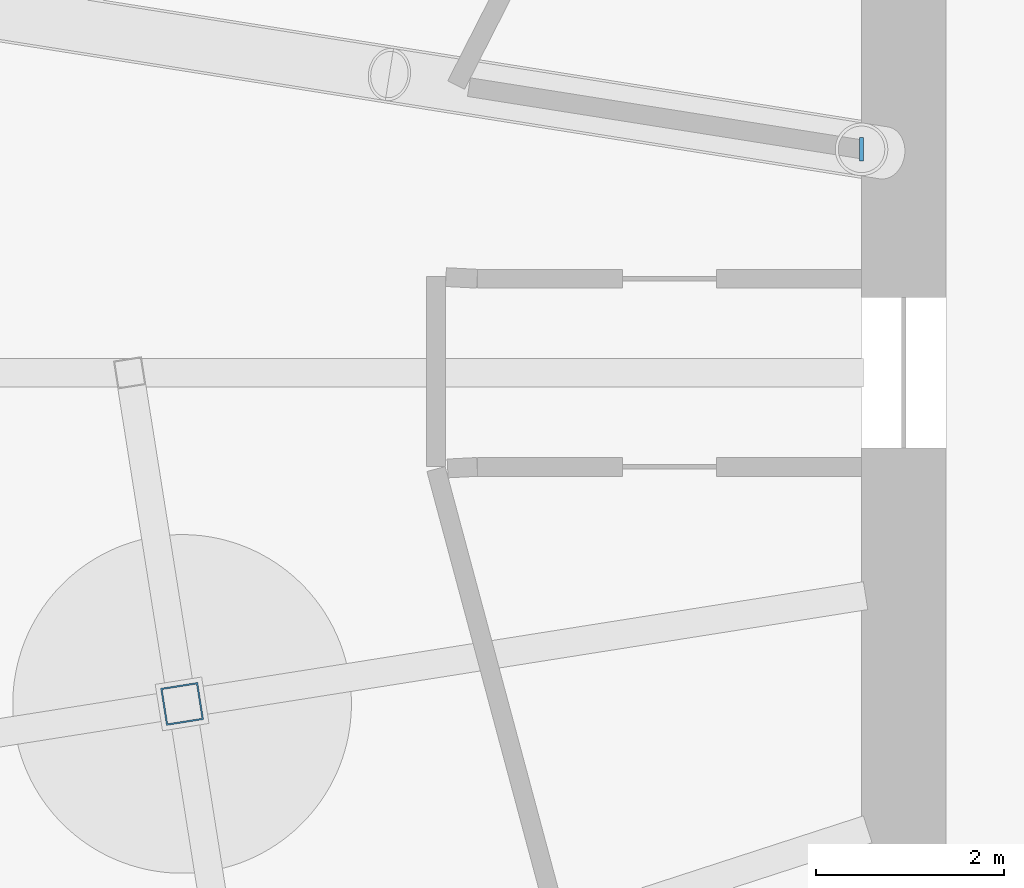
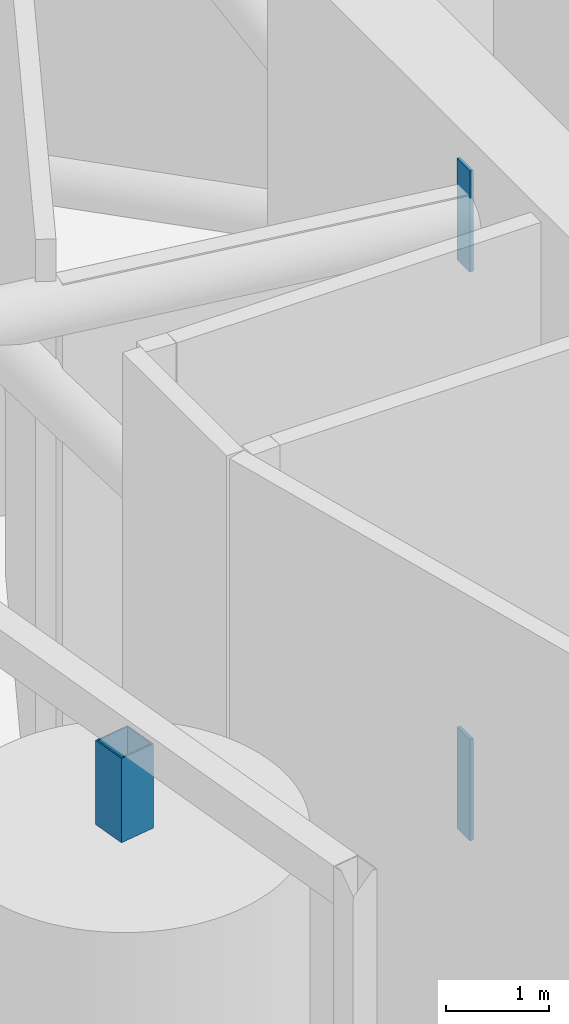
# One storey, part 15 of 22: 3 discrete accessories.
"""IFC4 building model written with IfcOpenShell, lengths in metres."""

import ifcopenshell
import ifcopenshell.guid

model = None  # the IFC model being written
_history = None  # IfcOwnerHistory: only IFC2X3 demands one
_inside = {}  # id of a spatial element -> (the spatial element, [elements in it])
_under = {}  # id of a project, library or spatial element -> (it, [spatial elements below it])
_declared = {}  # id of a project -> (the project, [libraries it declares])
_typed = {}  # id of a type object -> (the type object, [elements of that type])
_made_of = {}  # id of a material, layer set ... -> (it, [elements and type objects made of it])


def new_model(schema):
    """Start an empty IFC model of exactly this schema.

    Asked for "IFC4X3", IfcOpenShell would pick the latest addendum, in which some entities
    have other attributes; the version numbers below select the first issue.
    IFC2X3 requires an IfcOwnerHistory on every rooted entity: one is made here for all.
    """
    global model, _history
    if schema == "IFC4X3":
        model = ifcopenshell.file(schema_version=(4, 3, 0, 0))
    else:
        model = ifcopenshell.file(schema=schema)
    _inside.clear()
    _under.clear()
    _declared.clear()
    _typed.clear()
    _made_of.clear()
    _history = None
    if model.schema == "IFC2X3":
        org = make("IfcOrganization", Name="unknown")
        user = make(
            "IfcPersonAndOrganization",
            ThePerson=make("IfcPerson", FamilyName="unknown"),
            TheOrganization=org,
        )
        app = make(
            "IfcApplication",
            ApplicationDeveloper=org,
            Version="unknown",
            ApplicationFullName="unknown",
            ApplicationIdentifier="unknown",
        )
        _history = make(
            "IfcOwnerHistory",
            OwningUser=user,
            OwningApplication=app,
            ChangeAction="ADDED",
            CreationDate=0,
        )
    return model


def make(cls, **values):
    """One entity of the class cls with the attributes given. An attribute that is None is left unset."""
    return model.create_entity(
        cls, **{name: value for name, value in values.items() if value is not None}
    )


def rooted(cls, **values):
    """An entity with a GlobalId (a new one), such as an element, a storey or a relation."""
    return make(cls, GlobalId=ifcopenshell.guid.new(), OwnerHistory=_history, **values)


def si_unit(unit_type, name, prefix=None):
    """IfcSIUnit, for example si_unit("LENGTHUNIT", "METRE", prefix="MILLI")."""
    return make("IfcSIUnit", UnitType=unit_type, Prefix=prefix, Name=name)


def assignment(units):
    """IfcUnitAssignment: the units of a project."""
    return None if units is None else make("IfcUnitAssignment", Units=units)


def point(xyz):
    """IfcCartesianPoint."""
    return None if xyz is None else make("IfcCartesianPoint", Coordinates=xyz)


def direction(xyz):
    """IfcDirection."""
    return None if xyz is None else make("IfcDirection", DirectionRatios=xyz)


def frame(location, z_axis=None, x_axis=None):
    """IfcAxis2Placement3D, a coordinate frame: its origin and axes. An axis left out is left unset."""
    return make(
        "IfcAxis2Placement3D",
        Location=point(location),
        Axis=direction(z_axis),
        RefDirection=direction(x_axis),
    )


def frame_2d(location, x_axis=None):
    """IfcAxis2Placement2D, a coordinate frame in the plane: its origin and x axis."""
    return make(
        "IfcAxis2Placement2D", Location=point(location), RefDirection=direction(x_axis)
    )


def origin():
    """The frame at (0, 0, 0) with its axes left unset."""
    return frame((0.0, 0.0, 0.0))


def origin_2d():
    """The frame at (0, 0) in the plane with its x axis left unset."""
    return frame_2d((0.0, 0.0))


def place(relative_to, where):
    """IfcLocalPlacement: puts the frame where relative to a parent placement (None: the world)."""
    return make(
        "IfcLocalPlacement", PlacementRelTo=relative_to, RelativePlacement=where
    )


def context(
    kind, dimensions, precision=None, world=None, true_north=None, identifier=None
):
    """IfcGeometricRepresentationContext, for example the 3D "Model" context."""
    return make(
        "IfcGeometricRepresentationContext",
        ContextIdentifier=identifier,
        ContextType=kind,
        CoordinateSpaceDimension=dimensions,
        Precision=precision,
        WorldCoordinateSystem=world,
        TrueNorth=true_north,
    )


def subcontext(parent, identifier, kind, view, scale=None):
    """IfcGeometricRepresentationSubContext, for example "Body" below "Model"."""
    return make(
        "IfcGeometricRepresentationSubContext",
        ContextIdentifier=identifier,
        ContextType=kind,
        ParentContext=parent,
        TargetScale=scale,
        TargetView=view,
    )


def project(units=None, contexts=None):
    """IfcProject with its units and contexts."""
    return rooted(
        "IfcProject",
        Name="project",
        RepresentationContexts=contexts,
        UnitsInContext=assignment(units),
    )


def spatial(cls, under=None, at=None, **own):
    """A site, building, storey or space (cls), placed at a placement, below another one or the project."""
    s = rooted(cls, ObjectPlacement=at, **own)
    if under is not None:
        _under.setdefault(under.id(), (under, []))[1].append(s)
    return s


def profile(cls, at=None, kind="AREA", **sizes):
    """A parametric profile (cls). Its sizes go by their IFC names, for example OverallWidth=200.0."""
    return make(cls, ProfileType=kind, Position=at, **sizes)


def rectangle(**sizes):
    """IfcRectangleProfileDef."""
    return profile("IfcRectangleProfileDef", **sizes)


def hollow_rectangle(**sizes):
    """IfcRectangleHollowProfileDef."""
    return profile("IfcRectangleHollowProfileDef", **sizes)


def extrude(swept, where, along, depth):
    """IfcExtrudedAreaSolid: the profile swept, set in the frame where, extruded along a direction by depth."""
    return make(
        "IfcExtrudedAreaSolid",
        SweptArea=swept,
        Position=where,
        ExtrudedDirection=direction(along),
        Depth=depth,
    )


def shape(context_of_items, identifier, shape_type, items):
    """IfcShapeRepresentation: the items that make up one representation, for example the "Body"."""
    return make(
        "IfcShapeRepresentation",
        ContextOfItems=context_of_items,
        RepresentationIdentifier=identifier,
        RepresentationType=shape_type,
        Items=items,
    )


def material(Name=None, Category=None):
    """IfcMaterial."""
    return make("IfcMaterial", Name=Name, Category=Category)


def made_of(thing, what):
    """Note that an element or type object is made of a material, layer set ...; save() writes the relation."""
    if what is not None:
        _made_of.setdefault(what.id(), (what, []))[1].append(thing)
    return thing


def element(
    cls,
    number,
    at=None,
    inside=None,
    cuts=None,
    type_object=None,
    material=None,
    context=None,
    identifier="Body",
    shape_type=None,
    held_by="IfcProductDefinitionShape",
    body=None,
    shapes=None,
    **own,
):
    """One element of the class cls, such as IfcWall. Its Tag is "e" and its number.

    at: its placement. inside: the storey or other place that contains it. cuts: it is an
    opening in that element (IfcRelVoidsElement). A single representation is given by context,
    identifier, shape_type and body (its items); several are given by shapes. held_by: the class
    of the entity that holds the representations. save() writes the other relations.
    """
    e = rooted(cls, Tag="e%d" % number, ObjectPlacement=at, **own)
    if body is not None:
        shapes = [shape(context, identifier, shape_type, body)]
    if shapes is not None:
        e.Representation = make(held_by, Representations=shapes)
    if inside is not None:
        _inside.setdefault(inside.id(), (inside, []))[1].append(e)
    if cuts is not None:
        rooted(
            "IfcRelVoidsElement", RelatingBuildingElement=cuts, RelatedOpeningElement=e
        )
    if type_object is not None:
        _typed.setdefault(type_object.id(), (type_object, []))[1].append(e)
    return made_of(e, material)


def aggregate(whole, parts):
    """IfcRelAggregates: a whole, such as a stair, and the parts it consists of."""
    return rooted("IfcRelAggregates", RelatingObject=whole, RelatedObjects=parts)


def save(model, path):
    """Write the relations noted so far, then the file.

    IfcRelAggregates (storeys below a building ...), IfcRelContainedInSpatialStructure (elements
    in a storey), IfcRelDefinesByType, IfcRelAssociatesMaterial and IfcRelDeclares: one each for
    every whole, place, type object, material and project.
    """
    for whole, parts in _under.values():
        aggregate(whole, parts)
    for where, things in _inside.values():
        rooted(
            "IfcRelContainedInSpatialStructure",
            RelatedElements=things,
            RelatingStructure=where,
        )
    for kind, things in _typed.values():
        rooted("IfcRelDefinesByType", RelatedObjects=things, RelatingType=kind)
    for what, things in _made_of.values():
        rooted("IfcRelAssociatesMaterial", RelatedObjects=things, RelatingMaterial=what)
    for by, libraries in _declared.values():
        rooted("IfcRelDeclares", RelatingContext=by, RelatedDefinitions=libraries)
    model.write(path)


model = new_model("IFC4")

# Units and contexts
model_context = context("Model", 3, precision=1e-05, world=origin(), true_north=direction((0.0, 1.0)))
body_context = subcontext(model_context, "Body", "Model", "MODEL_VIEW")
ifc_project = project(units=[si_unit("LENGTHUNIT", "METRE"), si_unit("AREAUNIT", "SQUARE_METRE"), si_unit("VOLUMEUNIT", "CUBIC_METRE"), si_unit("PLANEANGLEUNIT", "RADIAN"), si_unit("MASSUNIT", "GRAM", prefix="KILO")], contexts=[model_context])

# Site, building, storey
site_placement = place(None, origin())
site = spatial("IfcSite", under=ifc_project, at=site_placement, CompositionType="ELEMENT")
building_placement = place(site_placement, origin())
building = spatial("IfcBuilding", under=site, at=building_placement, Name="Entoto Ring Tower", CompositionType="ELEMENT")
storey_placement = place(building_placement, frame((0.0, 0.0, 230.0)))
storey = spatial("IfcBuildingStorey", under=building, at=storey_placement, Name="L53", CompositionType="ELEMENT", Elevation=230.0)

# Discrete accessories
ifc_material = material(Name="Steel S355", Category="steel")
for number, where, z_axis, x_axis, name in (
    (1, (75.0, 82.375732421875, -0.294921875), (0.0, 0.0, 1.0), (-1.0, 0.0, 0.0), "Embedded plate L53 bottom 05"),
    (2, (75.0, 82.375732421875, 6.44482421875), (0.0, 0.0, 1.0), (-1.0, 0.0, 0.0), "Embedded plate L53 top 05"),
):
    element("IfcDiscreteAccessory", number, at=place(storey_placement, frame(where, z_axis=z_axis, x_axis=x_axis)), inside=storey, material=ifc_material, Name=name, PredefinedType="ANCHORPLATE", context=body_context, shape_type="SweptSolid", body=[
        extrude(rectangle(XDim=0.0400390625, YDim=0.25, at=origin_2d()), origin(), (0.0, 0.0, 1.0), 1.199951171875),
    ])
discrete_accessory_placement = place(storey_placement, frame((67.777099609375, 76.480224609375, 5.89990234375), z_axis=(0.0, 0.0, 1.0), x_axis=(0.15643446504, -0.987688340595, 0.0)))
element("IfcDiscreteAccessory", 3, at=discrete_accessory_placement, inside=storey, material=ifc_material, Name="TURBINE BEARING 5", PredefinedType="BRACKET", context=body_context, shape_type="SweptSolid", body=[
    extrude(hollow_rectangle(XDim=0.39990234375, YDim=0.39990234375, WallThickness=0.01611328125, at=origin_2d()), origin(), (0.0, 0.0, 1.0), 1.0),
])

save(model, "model.ifc")
